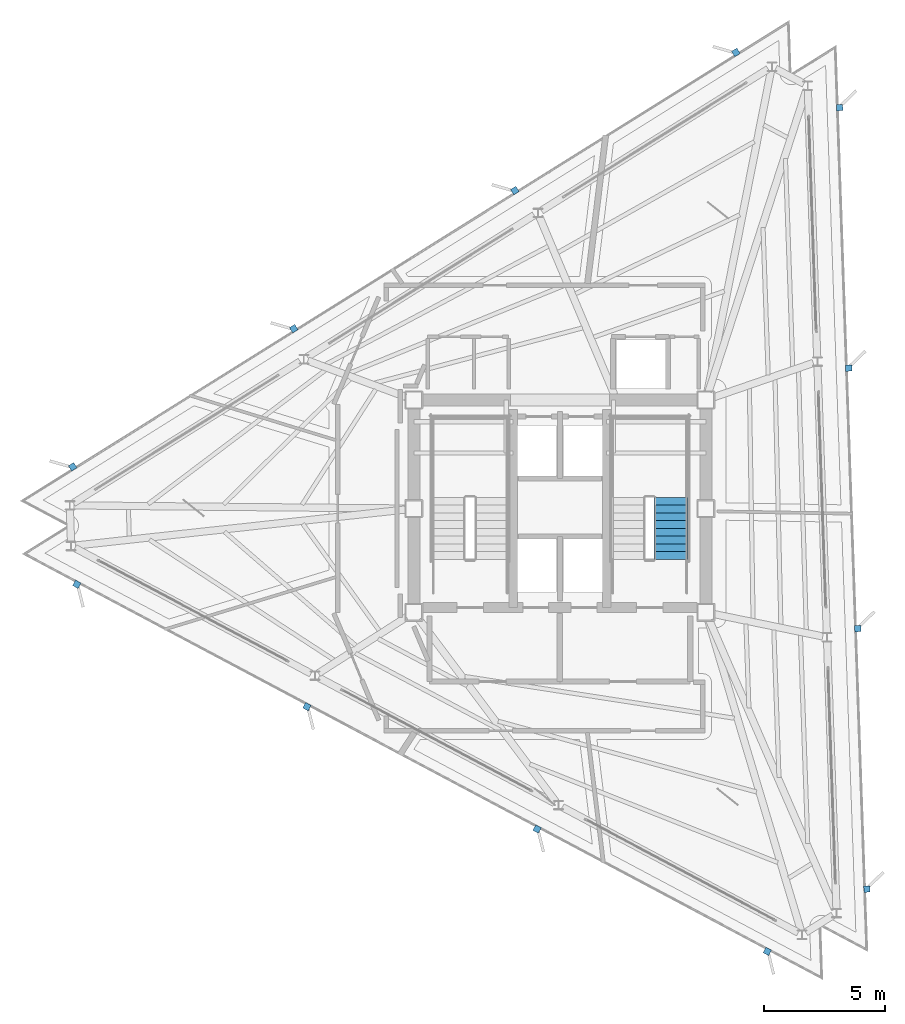
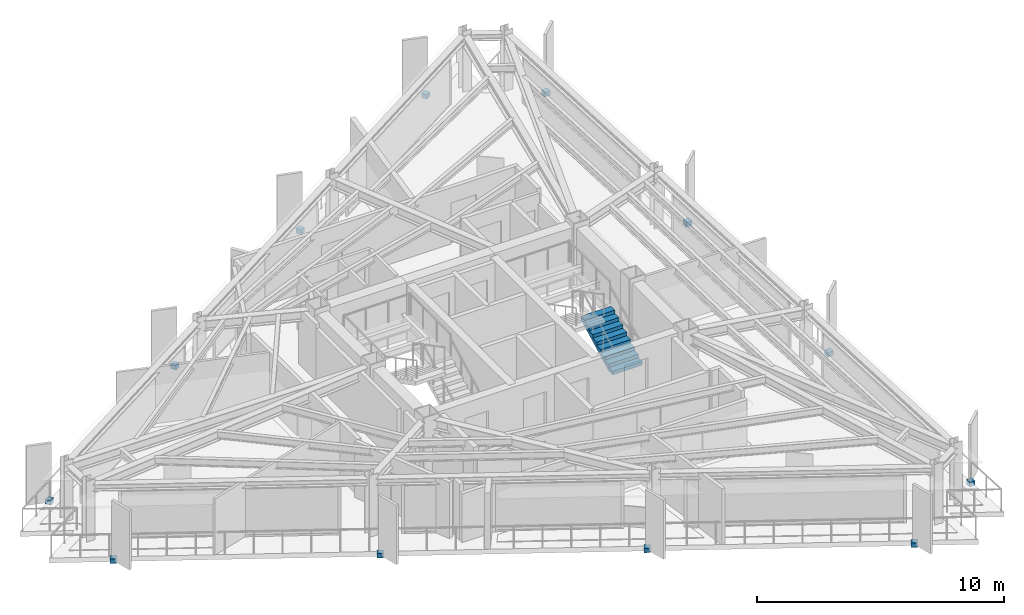
# One storey, part 10 of 13: 12 discrete accessories, 1 stair flight, 1 element without a shape of its own.
"""IFC4 building model written with IfcOpenShell, lengths in metres."""

from ifc_helpers import new_model, si_unit, direction, frame, origin, origin_2d, place, context, subcontext, project, spatial, polyline, rectangle, outline, extrude, material, layer, layer_set, type_object, element, aggregate, save


model = new_model("IFC4")

# Units and contexts
model_context = context("Model", 3, precision=1e-05, world=origin(), true_north=direction((0.0, 1.0)))
body_context = subcontext(model_context, "Body", "Model", "MODEL_VIEW")
ifc_project = project(units=[si_unit("LENGTHUNIT", "METRE"), si_unit("AREAUNIT", "SQUARE_METRE"), si_unit("VOLUMEUNIT", "CUBIC_METRE"), si_unit("PLANEANGLEUNIT", "RADIAN"), si_unit("MASSUNIT", "GRAM", prefix="KILO")], contexts=[model_context])

# Site, building, storey
site_placement = place(None, origin())
site = spatial("IfcSite", under=ifc_project, at=site_placement, CompositionType="ELEMENT")
building_placement = place(site_placement, origin())
building = spatial("IfcBuilding", under=site, at=building_placement, Name="Rocaltana Carrier Exchange", CompositionType="ELEMENT")
storey_placement = place(building_placement, frame((0.0, 0.0, 208.800048828125)))
storey = spatial("IfcBuildingStorey", under=building, at=storey_placement, Name="L66", CompositionType="ELEMENT", Elevation=208.800048828125)

# Stair, stair flight
ifc_material_1 = material(Name="Precast concrete C45/55", Category="concrete")
stair_type = type_object("IfcStairType", Name="Standard Dog-Leg Stair 160", PredefinedType="HALF_TURN_STAIR", material=ifc_material_1)
stair_placement = place(storey_placement, origin())
stair = element("IfcStair", 1, at=stair_placement, inside=storey, type_object=stair_type, Name="L66 Core East Exit Stair ST-2", PredefinedType="HALF_TURN_STAIR")
ifc_material_2 = material(Name="Precast concrete C45/55", Category="concrete")
stair_flight_type = type_object("IfcStairFlightType", Name="Precast Stair Flight 160", PredefinedType="STRAIGHT", material=ifc_material_2)
stair_flight_placement = place(storey_placement, frame((4.60009765625, -2.10009765625, 0.0), z_axis=(0.0, 0.0, 1.0), x_axis=(0.0, 1.0, 0.0)))
stair_flight = element("IfcStairFlight", 2, at=stair_flight_placement, type_object=stair_flight_type, Name="ST-2 flight 1", NumberOfRisers=9, NumberOfTreads=8, PredefinedType="STRAIGHT", RiserHeight=0.168888889, TreadLength=0.32, context=body_context, shape_type="SweptSolid", body=[
    extrude(outline(polyline([(0.0, 0.0), (0.0, 0.1689453125), (0.320068359375, 0.1689453125), (0.320068359375, 0.337890625), (0.639892578125, 0.337890625), (0.639892578125, 0.506591796875), (0.9599609375, 0.506591796875), (0.9599609375, 0.675537109375), (1.280029296875, 0.675537109375), (1.280029296875, 0.844482421875), (1.60009765625, 0.844482421875), (1.60009765625, 1.013427734375), (1.919921875, 1.013427734375), (1.919921875, 1.18212890625), (2.239990234375, 1.18212890625), (2.239990234375, 1.35107421875), (2.56005859375, 1.35107421875), (2.56005859375, 1.52001953125), (2.56005859375, 1.17041015625), (0.342529296875, 0.0), (0.0, 0.0)])), frame((0.0, 0.699951171875, 0.0), z_axis=(0.0, -1.0, 0.0), x_axis=(1.0, 0.0, 0.0)), (0.0, 0.0, 1.0), 1.39990234375),
])
aggregate(stair, [stair_flight])

# Discrete accessories
ifc_material_3 = material(Name="Brushed Architectural Stainless Metal", Category="steel")
ifc_layer = layer(ifc_material_3, 0.219970703125)
ifc_layer_set = layer_set([ifc_layer], Name="Brushed Architectural Stainless Metal")
discrete_accessory_type = type_object("IfcDiscreteAccessoryType", Name="Stainless Fin Slab-Edge Bracket 260x260x220", PredefinedType="BRACKET", material=ifc_layer_set)
for number, where, z_axis, x_axis, name in (
    (3, (12.722412109375, -15.765625, -0.2099609375), (0.0, 0.0, 1.0), (-0.034899496703, 0.999390827019, 0.0), "L66 Sandstone Fin Edge Bracket F1-01"),
    (4, (12.345458984375, -4.97216796875, -0.2099609375), (0.0, 0.0, 1.0), (-0.034899496703, 0.999390827019, 0.0), "L66 Sandstone Fin Edge Bracket F1-02"),
    (5, (11.968505859375, 5.8212890625, -0.2099609375), (0.0, 0.0, 1.0), (-0.034899496703, 0.999390827019, 0.0), "L66 Sandstone Fin Edge Bracket F1-03"),
    (6, (11.591552734375, 16.61474609375, -0.2099609375), (0.0, 0.0, 1.0), (-0.034899496703, 0.999390827019, 0.0), "L66 Sandstone Fin Edge Bracket F1-04"),
    (7, (7.292236328125, 18.900634765625, -0.2099609375), (0.0, 0.0, 1.0), (-0.848048096156, -0.529919264233, 0.0), "L66 Sandstone Fin Edge Bracket F2-01"),
    (8, (-1.86669921875, 13.177490234375, -0.2099609375), (0.0, 0.0, 1.0), (-0.848048096156, -0.529919264233, 0.0), "L66 Sandstone Fin Edge Bracket F2-02"),
    (9, (-11.025634765625, 7.454345703125, -0.2099609375), (0.0, 0.0, 1.0), (-0.848048096156, -0.529919264233, 0.0), "L66 Sandstone Fin Edge Bracket F2-03"),
    (10, (-20.1845703125, 1.731201171875, -0.2099609375), (0.0, 0.0, 1.0), (-0.848048096156, -0.529919264233, 0.0), "L66 Sandstone Fin Edge Bracket F2-04"),
    (11, (-20.0146484375, -3.135009765625, -0.2099609375), (0.0, 0.0, 1.0), (0.882947592859, -0.469471562786, 0.0), "L66 Sandstone Fin Edge Bracket F3-01"),
    (12, (-10.478759765625, -8.205322265625, -0.2099609375), (0.0, 0.0, 1.0), (0.882947592859, -0.469471562786, 0.0), "L66 Sandstone Fin Edge Bracket F3-02"),
    (13, (-0.94287109375, -13.275634765625, -0.2099609375), (0.0, 0.0, 1.0), (0.882947592859, -0.469471562786, 0.0), "L66 Sandstone Fin Edge Bracket F3-03"),
    (14, (8.593017578125, -18.345947265625, -0.2099609375), (0.0, 0.0, 1.0), (0.882947592859, -0.469471562786, 0.0), "L66 Sandstone Fin Edge Bracket F3-04"),
):
    element("IfcDiscreteAccessory", number, at=place(storey_placement, frame(where, z_axis=z_axis, x_axis=x_axis)), inside=storey, type_object=discrete_accessory_type, Name=name, PredefinedType="BRACKET", context=body_context, shape_type="SweptSolid", body=[
        extrude(rectangle(XDim=0.260009765625, YDim=0.260009765625, at=origin_2d()), origin(), (0.0, 0.0, 1.0), 0.219970703125),
    ])

save(model, "model.ifc")
